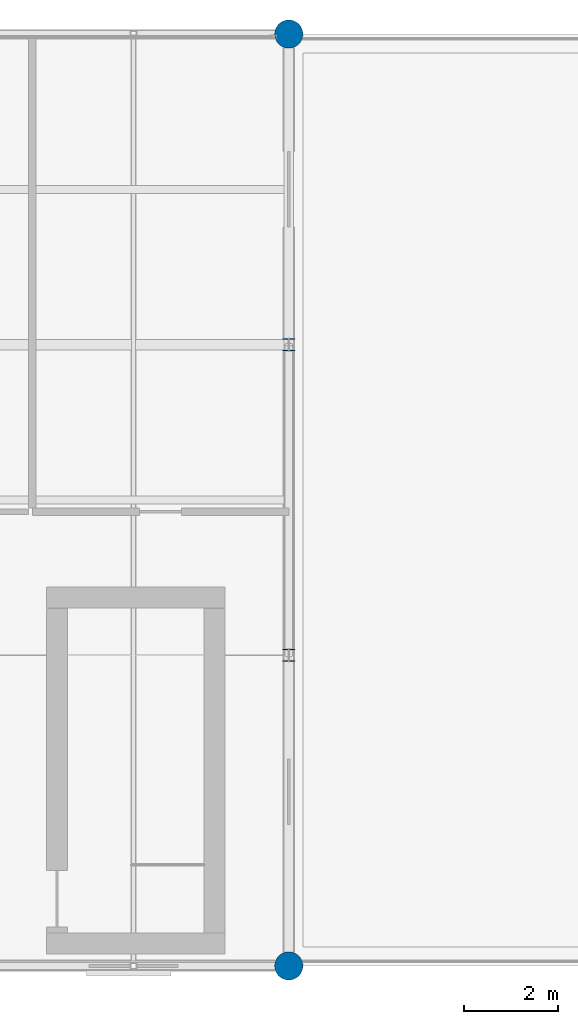
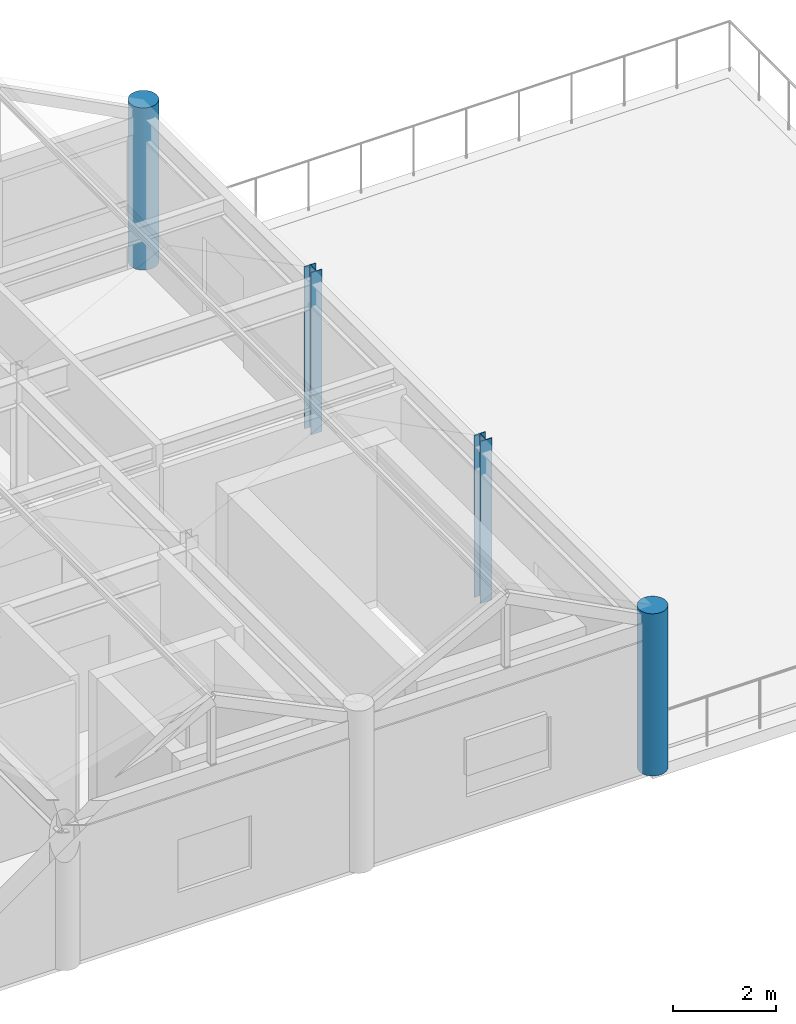
# One storey, part 2 of 21: 4 columns.
"""IFC4 building model written with IfcOpenShell, lengths in metres."""

from ifc_helpers import new_model, si_unit, direction, frame, origin, origin_2d, place, context, subcontext, project, spatial, circle, i_section, extrude, material, material_profile, profile_set, type_object, element, save


model = new_model("IFC4")

# Units and contexts
model_context = context("Model", 3, precision=1e-05, world=origin(), true_north=direction((0.0, 1.0)))
body_context = subcontext(model_context, "Body", "Model", "MODEL_VIEW")
ifc_project = project(units=[si_unit("LENGTHUNIT", "METRE"), si_unit("AREAUNIT", "SQUARE_METRE"), si_unit("VOLUMEUNIT", "CUBIC_METRE"), si_unit("PLANEANGLEUNIT", "RADIAN"), si_unit("MASSUNIT", "GRAM", prefix="KILO")], contexts=[model_context])

# Site, building, storey
site_placement = place(None, origin())
site = spatial("IfcSite", under=ifc_project, at=site_placement, CompositionType="ELEMENT")
building_placement = place(site_placement, origin())
building = spatial("IfcBuilding", under=site, at=building_placement, Name="Karori Crest Natural Sciences Institute", CompositionType="ELEMENT")
storey_placement = place(building_placement, frame((0.0, 0.0, 42.0)))
storey = spatial("IfcBuildingStorey", under=building, at=storey_placement, Name="L10", CompositionType="ELEMENT", Elevation=42.0)

# Columns
ifc_material_1 = material(Name="Structural steel AS/NZS 3679.1 Grade 350", Category="steel")
ifc_material_profile_1 = material_profile(ifc_material_1, i_section(OverallWidth=0.25390625, OverallDepth=0.25390625, WebThickness=0.008544921875, FlangeThickness=0.01416015625, FilletRadius=0.013916015625, at=origin_2d()), Name="250UC72.9")
ifc_profile_set_1 = profile_set([ifc_material_profile_1], Name="Structural steel AS/NZS 3679.1 Grade 350")
column_type_1 = type_object("IfcColumnType", Name="CT-07-IL", PredefinedType="COLUMN", material=ifc_profile_set_1)
for number, where, z_axis, x_axis, name in (
    (1, (136.60009765625, 7.39990234375, 0.0), (0.0, 0.0, 1.0), (1.0, 0.0, 0.0), "Column C-1280"),
    (2, (136.60009765625, 14.0, 0.0), (0.0, 0.0, 1.0), (1.0, 0.0, 0.0), "Column C-1292"),
):
    element("IfcColumn", number, at=place(storey_placement, frame(where, z_axis=z_axis, x_axis=x_axis)), inside=storey, type_object=column_type_1, Name=name, PredefinedType="COLUMN", context=body_context, shape_type="SweptSolid", body=[
        extrude(i_section(OverallWidth=0.25390625, OverallDepth=0.25390625, WebThickness=0.008544921875, FlangeThickness=0.01416015625, FilletRadius=0.013916015625, at=origin_2d()), origin(), (0.0, 0.0, 1.0), 3.85009765625),
    ])
ifc_material_2 = material(Name="Concrete 50 MPa", Category="concrete")
ifc_material_profile_2 = material_profile(ifc_material_2, circle(Radius=0.300048828125, at=origin_2d()), Name="RCC600")
ifc_profile_set_2 = profile_set([ifc_material_profile_2], Name="Concrete 50 MPa")
column_type_2 = type_object("IfcColumnType", Name="CT-24", PredefinedType="PILASTER", material=ifc_profile_set_2)
for number, where, z_axis, x_axis, name in (
    (3, (136.60009765625, 0.800048828125, 0.0), (0.0, 0.0, 1.0), (1.0, 0.0, 0.0), "Column C-1268"),
    (4, (136.60009765625, 20.60009765625, 0.0), (0.0, 0.0, 1.0), (1.0, 0.0, 0.0), "Column C-1304"),
):
    element("IfcColumn", number, at=place(storey_placement, frame(where, z_axis=z_axis, x_axis=x_axis)), inside=storey, type_object=column_type_2, Name=name, PredefinedType="PILASTER", context=body_context, shape_type="SweptSolid", body=[
        extrude(circle(Radius=0.300048828125, at=origin_2d()), origin(), (0.0, 0.0, 1.0), 3.85009765625),
    ])

save(model, "model.ifc")
